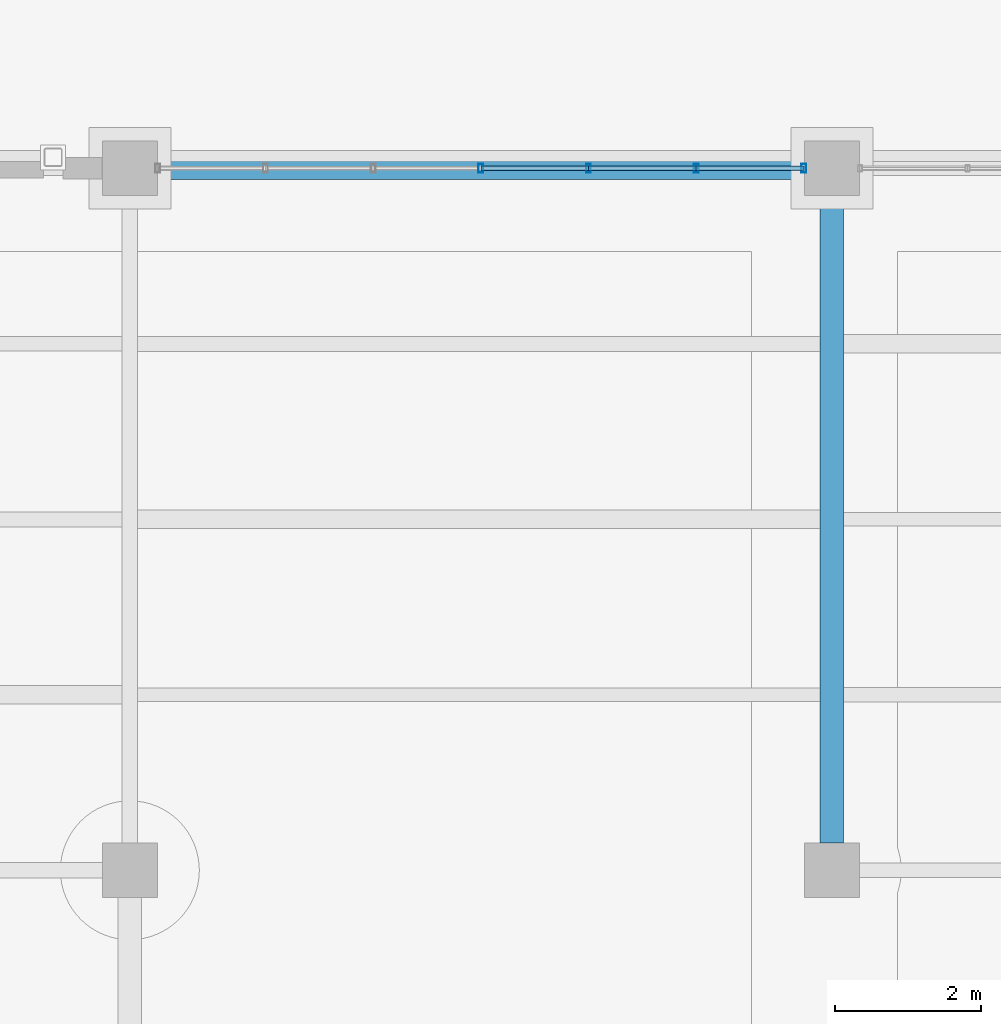
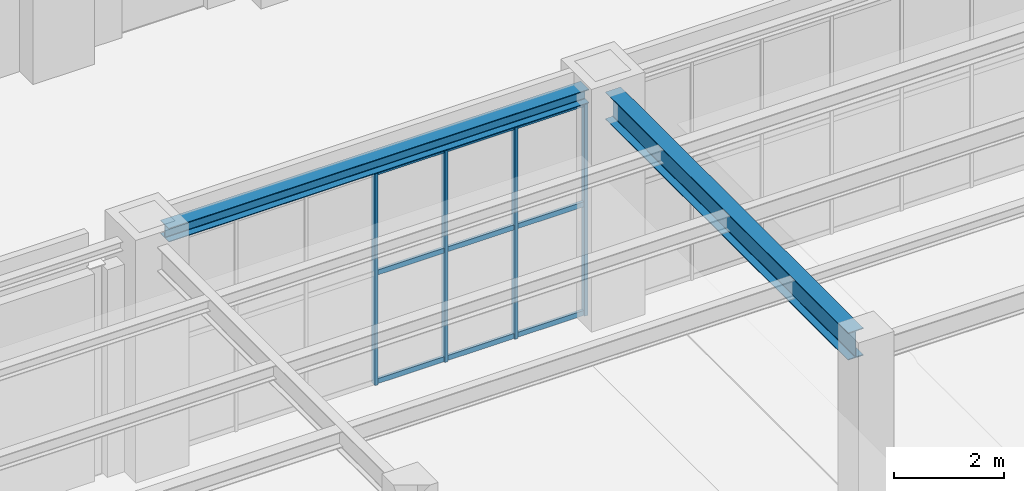
# One storey, part 35 of 164: 13 members, 2 beams, 1 element without a shape of its own.
"""IFC4 building model written with IfcOpenShell, lengths in metres."""

from ifc_helpers import new_model, si_unit, direction, frame, origin, origin_2d, place, context, subcontext, project, spatial, hollow_rectangle, i_section, extrude, material, material_profile, profile_set, type_object, element, aggregate, save


model = new_model("IFC4")

# Units and contexts
model_context = context("Model", 3, precision=1e-05, world=origin(), true_north=direction((0.0, 1.0)))
body_context = subcontext(model_context, "Body", "Model", "MODEL_VIEW")
ifc_project = project(units=[si_unit("LENGTHUNIT", "METRE"), si_unit("AREAUNIT", "SQUARE_METRE"), si_unit("VOLUMEUNIT", "CUBIC_METRE"), si_unit("PLANEANGLEUNIT", "RADIAN"), si_unit("MASSUNIT", "GRAM", prefix="KILO")], contexts=[model_context])

# Site, building, storey
site_placement = place(None, origin())
site = spatial("IfcSite", under=ifc_project, at=site_placement, CompositionType="ELEMENT")
building_placement = place(site_placement, origin())
building = spatial("IfcBuilding", under=site, at=building_placement, Name="Mavantir Sound Aquarium", CompositionType="ELEMENT")
storey_placement = place(building_placement, origin())
storey = spatial("IfcBuildingStorey", under=building, at=storey_placement, Name="L00", CompositionType="ELEMENT", Elevation=0.0)

# Beams
ifc_material_1 = material(Name="Structural Steel ASTM A992 Gr50", Category="steel")
ifc_material_profile_1 = material_profile(ifc_material_1, i_section(OverallWidth=0.304931640625, OverallDepth=0.30810546875, WebThickness=0.010009765625, FlangeThickness=0.015380859375, FilletRadius=0.014892578125, at=origin_2d()), Name="W310X97")
ifc_profile_set_1 = profile_set([ifc_material_profile_1], Name="Structural Steel ASTM A992 Gr50")
beam_type_1 = type_object("IfcBeamType", Name="BM-W310X97-E", PredefinedType="SPANDREL", material=ifc_profile_set_1)
beam_1_placement = place(storey_placement, frame((19.574951171875, 28.800048828125, 4.94189453125), z_axis=(1.0, 0.0, 0.0), x_axis=(0.0, 1.0, 0.0)))
element("IfcBeam", 1, at=beam_1_placement, inside=storey, type_object=beam_type_1, Name="L00 primary beam SS-31A 903", PredefinedType="SPANDREL", context=body_context, shape_type="SweptSolid", body=[
    extrude(i_section(OverallWidth=0.304931640625, OverallDepth=0.30810546875, WebThickness=0.010009765625, FlangeThickness=0.015380859375, FilletRadius=0.014892578125, at=origin_2d()), origin(), (0.0, 0.0, 1.0), 8.85009765625),
])
ifc_material_profile_2 = material_profile(ifc_material_1, i_section(OverallWidth=0.323974609375, OverallDepth=0.611083984375, WebThickness=0.0126953125, FlangeThickness=0.01904296875, FilletRadius=0.01904296875, at=origin_2d()), Name="W610X155")
ifc_profile_set_2 = profile_set([ifc_material_profile_2], Name="Structural Steel ASTM A992 Gr50")
beam_type_2 = type_object("IfcBeamType", Name="BM-W610X155-I", PredefinedType="BEAM", material=ifc_profile_set_2)
beam_2_placement = place(storey_placement, frame((28.800048828125, 19.574951171875, 4.79052734375), z_axis=(0.0, 1.0, 0.0), x_axis=(-1.0, 0.0, 0.0)))
element("IfcBeam", 2, at=beam_2_placement, inside=storey, type_object=beam_type_2, Name="L00 primary girder SB-61A 916", PredefinedType="BEAM", context=body_context, shape_type="SweptSolid", body=[
    extrude(i_section(OverallWidth=0.323974609375, OverallDepth=0.611083984375, WebThickness=0.0126953125, FlangeThickness=0.01904296875, FilletRadius=0.01904296875, at=origin_2d()), origin(), (0.0, 0.0, 1.0), 8.85009765625),
])

# Curtain wall, members
ifc_material_2 = material(Name="Anodised Marine Aluminium and Low-E Glass", Category="aluminium")
curtain_wall_type = type_object("IfcCurtainWallType", Name="CW-T08", PredefinedType="USERDEFINED", material=ifc_material_2)
curtain_wall_placement = place(storey_placement, origin())
curtain_wall = element("IfcCurtainWall", 3, at=curtain_wall_placement, inside=storey, type_object=curtain_wall_type, Name="L00 unitised curtain wall CW-08 8", ObjectType="UNITISED GLAZING", PredefinedType="USERDEFINED")
ifc_material_3 = material(Name="Anodised Marine Aluminium 6063-T6", Category="aluminium")
ifc_material_profile_3 = material_profile(ifc_material_3, hollow_rectangle(XDim=0.06494140625, YDim=0.1201171875, WallThickness=0.00390625, at=origin_2d()), Name="ALU-MULLION-120X65")
ifc_profile_set_3 = profile_set([ifc_material_profile_3], Name="Anodised Marine Aluminium 6063-T6")
member_type_1 = type_object("IfcMemberType", Name="CW-MUL-120", PredefinedType="MULLION", material=ifc_profile_set_3)
member_1_placement = place(storey_placement, frame((28.4169921875, 28.800048828125, 0.0), z_axis=(0.0, 0.0, 1.0), x_axis=(1.0, 0.0, 0.0)))
member_1 = element("IfcMember", 4, at=member_1_placement, type_object=member_type_1, Name="CW-L00-008 vertical mullion 1", PredefinedType="MULLION", context=body_context, shape_type="SweptSolid", body=[
    extrude(hollow_rectangle(XDim=0.06494140625, YDim=0.1201171875, WallThickness=0.00390625, at=origin_2d()), origin(), (0.0, 0.0, 1.0), 4.758056640625),
])
member_2_placement = place(storey_placement, frame((26.944580078125, 28.800048828125, 0.0), z_axis=(0.0, 0.0, 1.0), x_axis=(1.0, 0.0, 0.0)))
member_2 = element("IfcMember", 5, at=member_2_placement, type_object=member_type_1, Name="CW-L00-008 vertical mullion 2", PredefinedType="MULLION", context=body_context, shape_type="SweptSolid", body=[
    extrude(hollow_rectangle(XDim=0.06494140625, YDim=0.1201171875, WallThickness=0.00390625, at=origin_2d()), origin(), (0.0, 0.0, 1.0), 4.758056640625),
])
member_3_placement = place(storey_placement, frame((25.472412109375, 28.800048828125, 0.0), z_axis=(0.0, 0.0, 1.0), x_axis=(1.0, 0.0, 0.0)))
member_3 = element("IfcMember", 6, at=member_3_placement, type_object=member_type_1, Name="CW-L00-008 vertical mullion 3", PredefinedType="MULLION", context=body_context, shape_type="SweptSolid", body=[
    extrude(hollow_rectangle(XDim=0.06494140625, YDim=0.1201171875, WallThickness=0.00390625, at=origin_2d()), origin(), (0.0, 0.0, 1.0), 4.758056640625),
])
member_4_placement = place(storey_placement, frame((24.0, 28.800048828125, 0.0), z_axis=(0.0, 0.0, 1.0), x_axis=(1.0, 0.0, 0.0)))
member_4 = element("IfcMember", 7, at=member_4_placement, type_object=member_type_1, Name="CW-L00-008 vertical mullion 4", PredefinedType="MULLION", context=body_context, shape_type="SweptSolid", body=[
    extrude(hollow_rectangle(XDim=0.06494140625, YDim=0.1201171875, WallThickness=0.00390625, at=origin_2d()), origin(), (0.0, 0.0, 1.0), 4.758056640625),
])
ifc_material_profile_4 = material_profile(ifc_material_3, hollow_rectangle(XDim=0.06005859375, YDim=0.110107421875, WallThickness=0.00390625, at=origin_2d()), Name="ALU-TRANSOM-110X60")
ifc_profile_set_4 = profile_set([ifc_material_profile_4], Name="Anodised Marine Aluminium 6063-T6")
member_type_2 = type_object("IfcMemberType", Name="CW-TRN-110", PredefinedType="USERDEFINED", material=ifc_profile_set_4)
member_5_placement = place(storey_placement, frame((28.4169921875, 28.800048828125, 0.054931640625), z_axis=(-1.0, 0.0, 0.0), x_axis=(0.0, -1.0, 0.0)))
member_5 = element("IfcMember", 8, at=member_5_placement, type_object=member_type_2, Name="CW-L00-008 transom 1.1", ObjectType="TRANSOM", PredefinedType="USERDEFINED", context=body_context, shape_type="SweptSolid", body=[
    extrude(hollow_rectangle(XDim=0.06005859375, YDim=0.110107421875, WallThickness=0.00390625, at=origin_2d()), origin(), (0.0, 0.0, 1.0), 1.472412109375),
])
member_6_placement = place(storey_placement, frame((28.4169921875, 28.800048828125, 2.47412109375), z_axis=(-1.0, 0.0, 0.0), x_axis=(0.0, -1.0, 0.0)))
member_6 = element("IfcMember", 9, at=member_6_placement, type_object=member_type_2, Name="CW-L00-008 transom 1.2", ObjectType="TRANSOM", PredefinedType="USERDEFINED", context=body_context, shape_type="SweptSolid", body=[
    extrude(hollow_rectangle(XDim=0.06005859375, YDim=0.110107421875, WallThickness=0.00390625, at=origin_2d()), origin(), (0.0, 0.0, 1.0), 1.472412109375),
])
member_7_placement = place(storey_placement, frame((28.4169921875, 28.800048828125, 4.702880859375), z_axis=(-1.0, 0.0, 0.0), x_axis=(0.0, -1.0, 0.0)))
member_7 = element("IfcMember", 10, at=member_7_placement, type_object=member_type_2, Name="CW-L00-008 transom 1.3", ObjectType="TRANSOM", PredefinedType="USERDEFINED", context=body_context, shape_type="SweptSolid", body=[
    extrude(hollow_rectangle(XDim=0.06005859375, YDim=0.110107421875, WallThickness=0.00390625, at=origin_2d()), origin(), (0.0, 0.0, 1.0), 1.472412109375),
])
member_8_placement = place(storey_placement, frame((26.944580078125, 28.800048828125, 0.054931640625), z_axis=(-1.0, 0.0, 0.0), x_axis=(0.0, -1.0, 0.0)))
member_8 = element("IfcMember", 11, at=member_8_placement, type_object=member_type_2, Name="CW-L00-008 transom 2.1", ObjectType="TRANSOM", PredefinedType="USERDEFINED", context=body_context, shape_type="SweptSolid", body=[
    extrude(hollow_rectangle(XDim=0.06005859375, YDim=0.110107421875, WallThickness=0.00390625, at=origin_2d()), origin(), (0.0, 0.0, 1.0), 1.47216796875),
])
member_9_placement = place(storey_placement, frame((26.944580078125, 28.800048828125, 2.47412109375), z_axis=(-1.0, 0.0, 0.0), x_axis=(0.0, -1.0, 0.0)))
member_9 = element("IfcMember", 12, at=member_9_placement, type_object=member_type_2, Name="CW-L00-008 transom 2.2", ObjectType="TRANSOM", PredefinedType="USERDEFINED", context=body_context, shape_type="SweptSolid", body=[
    extrude(hollow_rectangle(XDim=0.06005859375, YDim=0.110107421875, WallThickness=0.00390625, at=origin_2d()), origin(), (0.0, 0.0, 1.0), 1.47216796875),
])
member_10_placement = place(storey_placement, frame((26.944580078125, 28.800048828125, 4.702880859375), z_axis=(-1.0, 0.0, 0.0), x_axis=(0.0, -1.0, 0.0)))
member_10 = element("IfcMember", 13, at=member_10_placement, type_object=member_type_2, Name="CW-L00-008 transom 2.3", ObjectType="TRANSOM", PredefinedType="USERDEFINED", context=body_context, shape_type="SweptSolid", body=[
    extrude(hollow_rectangle(XDim=0.06005859375, YDim=0.110107421875, WallThickness=0.00390625, at=origin_2d()), origin(), (0.0, 0.0, 1.0), 1.47216796875),
])
member_11_placement = place(storey_placement, frame((25.472412109375, 28.800048828125, 0.054931640625), z_axis=(-1.0, 0.0, 0.0), x_axis=(0.0, -1.0, 0.0)))
member_11 = element("IfcMember", 14, at=member_11_placement, type_object=member_type_2, Name="CW-L00-008 transom 3.1", ObjectType="TRANSOM", PredefinedType="USERDEFINED", context=body_context, shape_type="SweptSolid", body=[
    extrude(hollow_rectangle(XDim=0.06005859375, YDim=0.110107421875, WallThickness=0.00390625, at=origin_2d()), origin(), (0.0, 0.0, 1.0), 1.472412109375),
])
member_12_placement = place(storey_placement, frame((25.472412109375, 28.800048828125, 2.47412109375), z_axis=(-1.0, 0.0, 0.0), x_axis=(0.0, -1.0, 0.0)))
member_12 = element("IfcMember", 15, at=member_12_placement, type_object=member_type_2, Name="CW-L00-008 transom 3.2", ObjectType="TRANSOM", PredefinedType="USERDEFINED", context=body_context, shape_type="SweptSolid", body=[
    extrude(hollow_rectangle(XDim=0.06005859375, YDim=0.110107421875, WallThickness=0.00390625, at=origin_2d()), origin(), (0.0, 0.0, 1.0), 1.472412109375),
])
member_13_placement = place(storey_placement, frame((25.472412109375, 28.800048828125, 4.702880859375), z_axis=(-1.0, 0.0, 0.0), x_axis=(0.0, -1.0, 0.0)))
member_13 = element("IfcMember", 16, at=member_13_placement, type_object=member_type_2, Name="CW-L00-008 transom 3.3", ObjectType="TRANSOM", PredefinedType="USERDEFINED", context=body_context, shape_type="SweptSolid", body=[
    extrude(hollow_rectangle(XDim=0.06005859375, YDim=0.110107421875, WallThickness=0.00390625, at=origin_2d()), origin(), (0.0, 0.0, 1.0), 1.472412109375),
])
aggregate(curtain_wall, [member_1, member_2, member_3, member_4, member_5, member_6, member_7, member_8, member_9, member_10, member_11, member_12, member_13])

save(model, "model.ifc")
